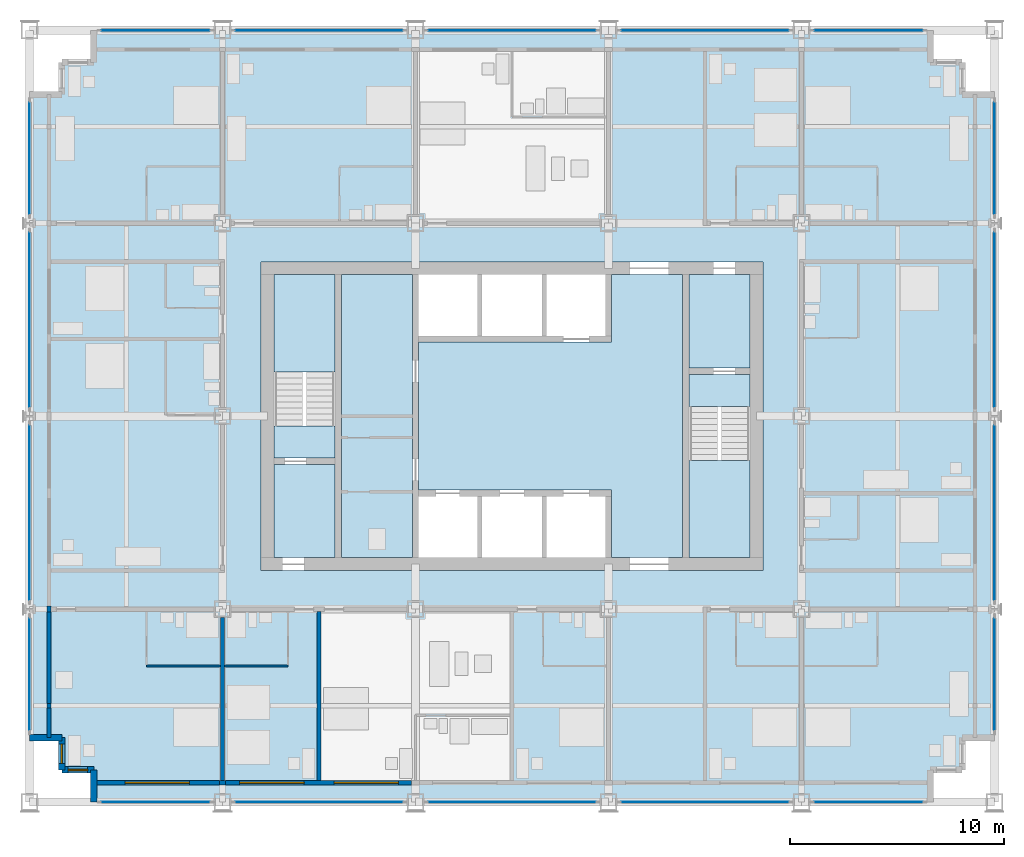
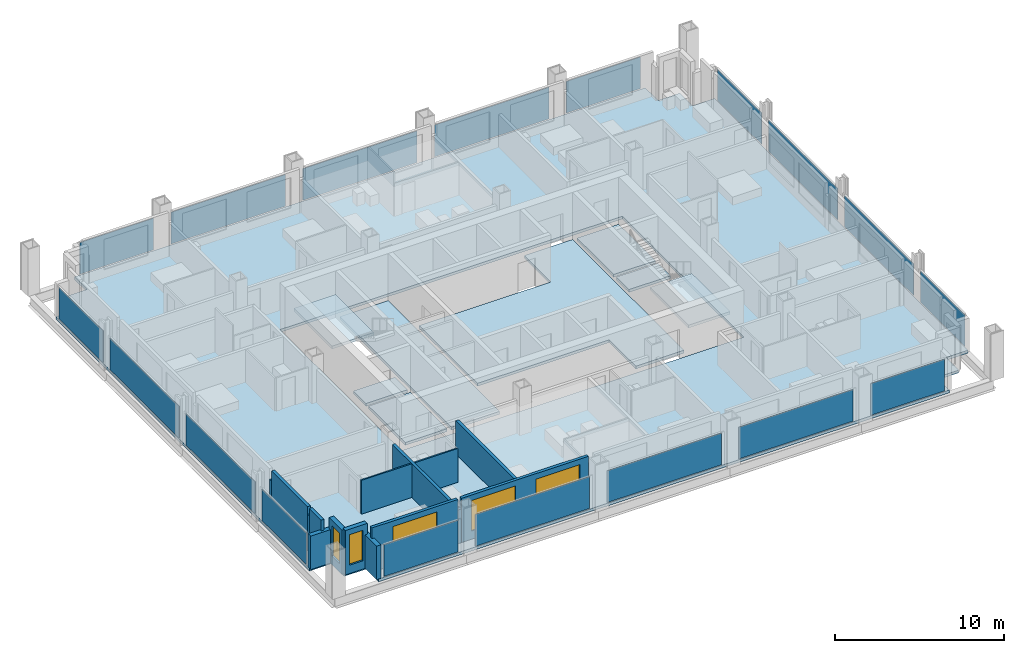
# One storey, part 8 of 16: 18 plates, 15 walls, 9 slabs, 5 windows, 5 openings, 20 elements without a shape of their own.
"""IFC4 building model written with IfcOpenShell, lengths in metres."""

from ifc_helpers import new_model, si_unit, direction, frame, frame_2d, origin, origin_2d, place, context, subcontext, project, spatial, polyline, rectangle, outline, extrude, material, layer, layer_set, type_object, element, fill, aggregate, save


model = new_model("IFC4")

# Units and contexts
model_context = context("Model", 3, precision=1e-05, world=origin(), true_north=direction((0.0, 1.0)))
body_context = subcontext(model_context, "Body", "Model", "MODEL_VIEW")
ifc_project = project(units=[si_unit("LENGTHUNIT", "METRE"), si_unit("AREAUNIT", "SQUARE_METRE"), si_unit("VOLUMEUNIT", "CUBIC_METRE"), si_unit("PLANEANGLEUNIT", "RADIAN"), si_unit("MASSUNIT", "GRAM", prefix="KILO")], contexts=[model_context])

# Site, building, storey
site_placement = place(None, origin())
site = spatial("IfcSite", under=ifc_project, at=site_placement, CompositionType="ELEMENT")
building_placement = place(site_placement, origin())
building = spatial("IfcBuilding", under=site, at=building_placement, Name="Loomwork Tower", CompositionType="ELEMENT")
storey_placement = place(building_placement, frame((0.0, 0.0, 121.39990234375)))
storey = spatial("IfcBuildingStorey", under=building, at=storey_placement, Name="L32", CompositionType="ELEMENT", Elevation=121.39990234375)

# Slabs
ifc_material_1 = material(Name="Concrete 5000 psi (34 MPa) on composite metal deck", Category="concrete")
ifc_layer_1 = layer(ifc_material_1, 0.199951171875)
ifc_layer_set_1 = layer_set([ifc_layer_1], Name="Floor slab 200")
slab_type_1 = type_object("IfcSlabType", Name="Floor slab 200", PredefinedType="FLOOR", material=ifc_layer_set_1)
slab_1_placement = place(storey_placement, frame((0.0, 0.0, -0.199951171875)))
element("IfcSlab", 1, at=slab_1_placement, inside=storey, type_object=slab_type_1, Name="Floor slab L32", PredefinedType="FLOOR", context=body_context, shape_type="SweptSolid", body=[
    extrude(outline(polyline([(3.0, 1.5), (1.5, 1.5), (1.5, 3.0), (0.0, 3.0), (0.0, 33.0), (1.5, 33.0), (1.5, 34.5), (3.0, 34.5), (3.0, 36.0), (42.0, 36.0), (42.0, 34.5), (43.5, 34.5), (43.5, 33.0), (45.0, 33.0), (45.0, 3.0), (43.5, 3.0), (43.5, 1.5), (42.0, 1.5), (42.0, 0.0), (3.0, 0.0), (3.0, 1.5)]), holes=[polyline([(10.800048828125, 11.39990234375), (10.800048828125, 11.39990234375), (10.800048828125, 10.800048828125), (34.199951171875, 10.800048828125), (34.199951171875, 11.39990234375), (34.199951171875, 11.39990234375), (34.199951171875, 24.60009765625), (34.199951171875, 25.199951171875), (10.800048828125, 25.199951171875), (10.800048828125, 24.60009765625), (10.800048828125, 11.39990234375)])]), origin(), (0.0, 0.0, 1.0), 0.199951171875),
])
slab_2_placement = place(storey_placement, frame((0.0, 0.0, -0.199951171875)))
element("IfcSlab", 2, at=slab_2_placement, inside=storey, type_object=slab_type_1, Name="Floor slab L32", PredefinedType="FLOOR", context=body_context, shape_type="SweptSolid", body=[
    extrude(outline(polyline([(30.449951171875, 24.60009765625), (30.449951171875, 11.39990234375), (27.14990234375, 11.39990234375), (27.14990234375, 14.25), (27.14990234375, 14.550048828125), (18.14990234375, 14.550048828125), (18.14990234375, 21.449951171875), (27.14990234375, 21.449951171875), (27.14990234375, 21.75), (27.14990234375, 24.60009765625), (30.449951171875, 24.60009765625)])), origin(), (0.0, 0.0, 1.0), 0.199951171875),
])
slab_3_placement = place(storey_placement, frame((0.0, 0.0, -0.199951171875)))
element("IfcSlab", 3, at=slab_3_placement, inside=storey, type_object=slab_type_1, Name="Floor slab L32", PredefinedType="FLOOR", context=body_context, shape_type="SweptSolid", body=[
    extrude(outline(polyline([(14.550048828125, 11.39990234375), (14.550048828125, 24.60009765625), (17.85009765625, 24.60009765625), (17.85009765625, 11.39990234375), (14.550048828125, 11.39990234375)])), origin(), (0.0, 0.0, 1.0), 0.199951171875),
])
slab_4_placement = place(storey_placement, frame((0.0, 0.0, -0.199951171875)))
element("IfcSlab", 4, at=slab_4_placement, inside=storey, type_object=slab_type_1, Name="Floor slab L32", PredefinedType="FLOOR", context=body_context, shape_type="SweptSolid", body=[
    extrude(outline(polyline([(33.60009765625, 20.25), (30.75, 20.25), (30.75, 24.60009765625), (33.60009765625, 24.60009765625), (33.60009765625, 20.25)])), origin(), (0.0, 0.0, 1.0), 0.199951171875),
])
slab_5_placement = place(storey_placement, frame((0.0, 0.0, -0.199951171875)))
element("IfcSlab", 5, at=slab_5_placement, inside=storey, type_object=slab_type_1, Name="Floor slab L32", PredefinedType="FLOOR", context=body_context, shape_type="SweptSolid", body=[
    extrude(outline(polyline([(14.25, 15.75), (14.25, 11.39990234375), (11.39990234375, 11.39990234375), (11.39990234375, 15.75), (14.25, 15.75)])), origin(), (0.0, 0.0, 1.0), 0.199951171875),
])

# Curtain wall, plate
ifc_material_2 = material(Name="Aluminium curtain wall frame", Category="aluminium")
curtain_wall_type = type_object("IfcCurtainWallType", Name="Outer skin glazing hotel", PredefinedType="NOTDEFINED", material=ifc_material_2)
curtain_wall_1_placement = place(storey_placement, origin())
curtain_wall_1 = element("IfcCurtainWall", 6, at=curtain_wall_1_placement, inside=storey, type_object=curtain_wall_type, Name="Outer skin glazing hotel cw/S-0", PredefinedType="NOTDEFINED")
ifc_material_3 = material(Name="Clear laminated glass", Category="glass")
ifc_layer_2 = layer(ifc_material_3, 0.02392578125)
ifc_layer_set_2 = layer_set([ifc_layer_2], Name="Outer skin glazing hotel panel")
plate_type = type_object("IfcPlateType", Name="Outer skin glazing hotel panel", PredefinedType="CURTAIN_PANEL", material=ifc_layer_set_2)
plate_1_placement = place(storey_placement, frame((5.875, 0.0, 0.06494140625), z_axis=(0.0, 0.0, 1.0), x_axis=(1.0, 0.0, 0.0)))
plate_1 = element("IfcPlate", 7, at=plate_1_placement, type_object=plate_type, Name="CW1 panel 1.1", PredefinedType="CURTAIN_PANEL", context=body_context, shape_type="SweptSolid", body=[
    extrude(rectangle(XDim=5.050048828125, YDim=0.02392578125, at=origin_2d()), origin(), (0.0, 0.0, 1.0), 2.290283203125),
])
aggregate(curtain_wall_1, [plate_1])

curtain_wall_2_placement = place(storey_placement, origin())
curtain_wall_2 = element("IfcCurtainWall", 8, at=curtain_wall_2_placement, inside=storey, type_object=curtain_wall_type, Name="Outer skin glazing hotel cw/S-9", PredefinedType="NOTDEFINED")
plate_2_placement = place(storey_placement, frame((13.5, 0.0, 0.06494140625), z_axis=(0.0, 0.0, 1.0), x_axis=(1.0, 0.0, 0.0)))
plate_2 = element("IfcPlate", 9, at=plate_2_placement, type_object=plate_type, Name="CW1 panel 1.1", PredefinedType="CURTAIN_PANEL", context=body_context, shape_type="SweptSolid", body=[
    extrude(rectangle(XDim=7.800048828125, YDim=0.02392578125, at=origin_2d()), origin(), (0.0, 0.0, 1.0), 2.290283203125),
])
aggregate(curtain_wall_2, [plate_2])

curtain_wall_3_placement = place(storey_placement, origin())
curtain_wall_3 = element("IfcCurtainWall", 10, at=curtain_wall_3_placement, inside=storey, type_object=curtain_wall_type, Name="Outer skin glazing hotel cw/S-18", PredefinedType="NOTDEFINED")
plate_3_placement = place(storey_placement, frame((22.5, 0.0, 0.06494140625), z_axis=(0.0, 0.0, 1.0), x_axis=(1.0, 0.0, 0.0)))
plate_3 = element("IfcPlate", 11, at=plate_3_placement, type_object=plate_type, Name="CW1 panel 1.1", PredefinedType="CURTAIN_PANEL", context=body_context, shape_type="SweptSolid", body=[
    extrude(rectangle(XDim=7.800048828125, YDim=0.02392578125, at=origin_2d()), origin(), (0.0, 0.0, 1.0), 2.290283203125),
])
aggregate(curtain_wall_3, [plate_3])

curtain_wall_4_placement = place(storey_placement, origin())
curtain_wall_4 = element("IfcCurtainWall", 12, at=curtain_wall_4_placement, inside=storey, type_object=curtain_wall_type, Name="Outer skin glazing hotel cw/S-27", PredefinedType="NOTDEFINED")
plate_4_placement = place(storey_placement, frame((31.5, 0.0, 0.06494140625), z_axis=(0.0, 0.0, 1.0), x_axis=(1.0, 0.0, 0.0)))
plate_4 = element("IfcPlate", 13, at=plate_4_placement, type_object=plate_type, Name="CW1 panel 1.1", PredefinedType="CURTAIN_PANEL", context=body_context, shape_type="SweptSolid", body=[
    extrude(rectangle(XDim=7.800048828125, YDim=0.02392578125, at=origin_2d()), origin(), (0.0, 0.0, 1.0), 2.290283203125),
])
aggregate(curtain_wall_4, [plate_4])

curtain_wall_5_placement = place(storey_placement, origin())
curtain_wall_5 = element("IfcCurtainWall", 14, at=curtain_wall_5_placement, inside=storey, type_object=curtain_wall_type, Name="Outer skin glazing hotel cw/S-36", PredefinedType="NOTDEFINED")
plate_5_placement = place(storey_placement, frame((39.125, 0.0, 0.06494140625), z_axis=(0.0, 0.0, 1.0), x_axis=(1.0, 0.0, 0.0)))
plate_5 = element("IfcPlate", 15, at=plate_5_placement, type_object=plate_type, Name="CW1 panel 1.1", PredefinedType="CURTAIN_PANEL", context=body_context, shape_type="SweptSolid", body=[
    extrude(rectangle(XDim=5.050048828125, YDim=0.02392578125, at=origin_2d()), origin(), (0.0, 0.0, 1.0), 2.290283203125),
])
aggregate(curtain_wall_5, [plate_5])

curtain_wall_6_placement = place(storey_placement, origin())
curtain_wall_6 = element("IfcCurtainWall", 16, at=curtain_wall_6_placement, inside=storey, type_object=curtain_wall_type, Name="Outer skin glazing hotel cw/N-0", PredefinedType="NOTDEFINED")
plate_6_placement = place(storey_placement, frame((5.875, 36.0, 0.06494140625), z_axis=(0.0, 0.0, 1.0), x_axis=(-1.0, 0.0, 0.0)))
plate_6 = element("IfcPlate", 17, at=plate_6_placement, type_object=plate_type, Name="CW1 panel 1.1", PredefinedType="CURTAIN_PANEL", context=body_context, shape_type="SweptSolid", body=[
    extrude(rectangle(XDim=5.050048828125, YDim=0.02392578125, at=origin_2d()), origin(), (0.0, 0.0, 1.0), 2.290283203125),
])
aggregate(curtain_wall_6, [plate_6])

curtain_wall_7_placement = place(storey_placement, origin())
curtain_wall_7 = element("IfcCurtainWall", 18, at=curtain_wall_7_placement, inside=storey, type_object=curtain_wall_type, Name="Outer skin glazing hotel cw/N-9", PredefinedType="NOTDEFINED")
plate_7_placement = place(storey_placement, frame((13.5, 36.0, 0.06494140625), z_axis=(0.0, 0.0, 1.0), x_axis=(-1.0, 0.0, 0.0)))
plate_7 = element("IfcPlate", 19, at=plate_7_placement, type_object=plate_type, Name="CW1 panel 1.1", PredefinedType="CURTAIN_PANEL", context=body_context, shape_type="SweptSolid", body=[
    extrude(rectangle(XDim=7.800048828125, YDim=0.02392578125, at=origin_2d()), origin(), (0.0, 0.0, 1.0), 2.290283203125),
])
aggregate(curtain_wall_7, [plate_7])

curtain_wall_8_placement = place(storey_placement, origin())
curtain_wall_8 = element("IfcCurtainWall", 20, at=curtain_wall_8_placement, inside=storey, type_object=curtain_wall_type, Name="Outer skin glazing hotel cw/N-18", PredefinedType="NOTDEFINED")
plate_8_placement = place(storey_placement, frame((22.5, 36.0, 0.06494140625), z_axis=(0.0, 0.0, 1.0), x_axis=(-1.0, 0.0, 0.0)))
plate_8 = element("IfcPlate", 21, at=plate_8_placement, type_object=plate_type, Name="CW1 panel 1.1", PredefinedType="CURTAIN_PANEL", context=body_context, shape_type="SweptSolid", body=[
    extrude(rectangle(XDim=7.800048828125, YDim=0.02392578125, at=origin_2d()), origin(), (0.0, 0.0, 1.0), 2.290283203125),
])
aggregate(curtain_wall_8, [plate_8])

curtain_wall_9_placement = place(storey_placement, origin())
curtain_wall_9 = element("IfcCurtainWall", 22, at=curtain_wall_9_placement, inside=storey, type_object=curtain_wall_type, Name="Outer skin glazing hotel cw/N-27", PredefinedType="NOTDEFINED")
plate_9_placement = place(storey_placement, frame((31.5, 36.0, 0.06494140625), z_axis=(0.0, 0.0, 1.0), x_axis=(-1.0, 0.0, 0.0)))
plate_9 = element("IfcPlate", 23, at=plate_9_placement, type_object=plate_type, Name="CW1 panel 1.1", PredefinedType="CURTAIN_PANEL", context=body_context, shape_type="SweptSolid", body=[
    extrude(rectangle(XDim=7.800048828125, YDim=0.02392578125, at=origin_2d()), origin(), (0.0, 0.0, 1.0), 2.290283203125),
])
aggregate(curtain_wall_9, [plate_9])

curtain_wall_10_placement = place(storey_placement, origin())
curtain_wall_10 = element("IfcCurtainWall", 24, at=curtain_wall_10_placement, inside=storey, type_object=curtain_wall_type, Name="Outer skin glazing hotel cw/N-36", PredefinedType="NOTDEFINED")
plate_10_placement = place(storey_placement, frame((39.125, 36.0, 0.06494140625), z_axis=(0.0, 0.0, 1.0), x_axis=(-1.0, 0.0, 0.0)))
plate_10 = element("IfcPlate", 25, at=plate_10_placement, type_object=plate_type, Name="CW1 panel 1.1", PredefinedType="CURTAIN_PANEL", context=body_context, shape_type="SweptSolid", body=[
    extrude(rectangle(XDim=5.050048828125, YDim=0.02392578125, at=origin_2d()), origin(), (0.0, 0.0, 1.0), 2.290283203125),
])
aggregate(curtain_wall_10, [plate_10])

curtain_wall_11_placement = place(storey_placement, origin())
curtain_wall_11 = element("IfcCurtainWall", 26, at=curtain_wall_11_placement, inside=storey, type_object=curtain_wall_type, Name="Outer skin glazing hotel cw/W-0", PredefinedType="NOTDEFINED")
plate_11_placement = place(storey_placement, frame((0.0, 5.962646484375, 0.06494140625), z_axis=(0.0, 0.0, 1.0), x_axis=(0.0, -1.0, 0.0)))
plate_11 = element("IfcPlate", 27, at=plate_11_placement, type_object=plate_type, Name="CW1 panel 1.1", PredefinedType="CURTAIN_PANEL", context=body_context, shape_type="SweptSolid", body=[
    extrude(rectangle(XDim=5.22509765625, YDim=0.02392578125, at=origin_2d()), origin(), (0.0, 0.0, 1.0), 2.290283203125),
])
aggregate(curtain_wall_11, [plate_11])

curtain_wall_12_placement = place(storey_placement, origin())
curtain_wall_12 = element("IfcCurtainWall", 28, at=curtain_wall_12_placement, inside=storey, type_object=curtain_wall_type, Name="Outer skin glazing hotel cw/W-9", PredefinedType="NOTDEFINED")
plate_12_placement = place(storey_placement, frame((0.0, 13.5, 0.06494140625), z_axis=(0.0, 0.0, 1.0), x_axis=(0.0, -1.0, 0.0)))
plate_12 = element("IfcPlate", 29, at=plate_12_placement, type_object=plate_type, Name="CW1 panel 1.1", PredefinedType="CURTAIN_PANEL", context=body_context, shape_type="SweptSolid", body=[
    extrude(rectangle(XDim=8.150390625, YDim=0.02392578125, at=origin_2d()), origin(), (0.0, 0.0, 1.0), 2.290283203125),
])
aggregate(curtain_wall_12, [plate_12])

curtain_wall_13_placement = place(storey_placement, origin())
curtain_wall_13 = element("IfcCurtainWall", 30, at=curtain_wall_13_placement, inside=storey, type_object=curtain_wall_type, Name="Outer skin glazing hotel cw/W-18", PredefinedType="NOTDEFINED")
plate_13_placement = place(storey_placement, frame((0.0, 22.5, 0.06494140625), z_axis=(0.0, 0.0, 1.0), x_axis=(0.0, -1.0, 0.0)))
plate_13 = element("IfcPlate", 31, at=plate_13_placement, type_object=plate_type, Name="CW1 panel 1.1", PredefinedType="CURTAIN_PANEL", context=body_context, shape_type="SweptSolid", body=[
    extrude(rectangle(XDim=8.150390625, YDim=0.02392578125, at=origin_2d()), origin(), (0.0, 0.0, 1.0), 2.290283203125),
])
aggregate(curtain_wall_13, [plate_13])

curtain_wall_14_placement = place(storey_placement, origin())
curtain_wall_14 = element("IfcCurtainWall", 32, at=curtain_wall_14_placement, inside=storey, type_object=curtain_wall_type, Name="Outer skin glazing hotel cw/W-27", PredefinedType="NOTDEFINED")
plate_14_placement = place(storey_placement, frame((0.0, 30.037353515625, 0.06494140625), z_axis=(0.0, 0.0, 1.0), x_axis=(0.0, -1.0, 0.0)))
plate_14 = element("IfcPlate", 33, at=plate_14_placement, type_object=plate_type, Name="CW1 panel 1.1", PredefinedType="CURTAIN_PANEL", context=body_context, shape_type="SweptSolid", body=[
    extrude(rectangle(XDim=5.22509765625, YDim=0.02392578125, at=origin_2d()), origin(), (0.0, 0.0, 1.0), 2.290283203125),
])
aggregate(curtain_wall_14, [plate_14])

curtain_wall_15_placement = place(storey_placement, origin())
curtain_wall_15 = element("IfcCurtainWall", 34, at=curtain_wall_15_placement, inside=storey, type_object=curtain_wall_type, Name="Outer skin glazing hotel cw/E-0", PredefinedType="NOTDEFINED")
plate_15_placement = place(storey_placement, frame((45.0, 5.962646484375, 0.06494140625), z_axis=(0.0, 0.0, 1.0), x_axis=(0.0, 1.0, 0.0)))
plate_15 = element("IfcPlate", 35, at=plate_15_placement, type_object=plate_type, Name="CW1 panel 1.1", PredefinedType="CURTAIN_PANEL", context=body_context, shape_type="SweptSolid", body=[
    extrude(rectangle(XDim=5.22509765625, YDim=0.02392578125, at=origin_2d()), origin(), (0.0, 0.0, 1.0), 2.290283203125),
])
aggregate(curtain_wall_15, [plate_15])

curtain_wall_16_placement = place(storey_placement, origin())
curtain_wall_16 = element("IfcCurtainWall", 36, at=curtain_wall_16_placement, inside=storey, type_object=curtain_wall_type, Name="Outer skin glazing hotel cw/E-9", PredefinedType="NOTDEFINED")
plate_16_placement = place(storey_placement, frame((45.0, 13.5, 0.06494140625), z_axis=(0.0, 0.0, 1.0), x_axis=(0.0, 1.0, 0.0)))
plate_16 = element("IfcPlate", 37, at=plate_16_placement, type_object=plate_type, Name="CW1 panel 1.1", PredefinedType="CURTAIN_PANEL", context=body_context, shape_type="SweptSolid", body=[
    extrude(rectangle(XDim=8.150390625, YDim=0.02392578125, at=origin_2d()), origin(), (0.0, 0.0, 1.0), 2.290283203125),
])
aggregate(curtain_wall_16, [plate_16])

curtain_wall_17_placement = place(storey_placement, origin())
curtain_wall_17 = element("IfcCurtainWall", 38, at=curtain_wall_17_placement, inside=storey, type_object=curtain_wall_type, Name="Outer skin glazing hotel cw/E-18", PredefinedType="NOTDEFINED")
plate_17_placement = place(storey_placement, frame((45.0, 22.5, 0.06494140625), z_axis=(0.0, 0.0, 1.0), x_axis=(0.0, 1.0, 0.0)))
plate_17 = element("IfcPlate", 39, at=plate_17_placement, type_object=plate_type, Name="CW1 panel 1.1", PredefinedType="CURTAIN_PANEL", context=body_context, shape_type="SweptSolid", body=[
    extrude(rectangle(XDim=8.150390625, YDim=0.02392578125, at=origin_2d()), origin(), (0.0, 0.0, 1.0), 2.290283203125),
])
aggregate(curtain_wall_17, [plate_17])

curtain_wall_18_placement = place(storey_placement, origin())
curtain_wall_18 = element("IfcCurtainWall", 40, at=curtain_wall_18_placement, inside=storey, type_object=curtain_wall_type, Name="Outer skin glazing hotel cw/E-27", PredefinedType="NOTDEFINED")
plate_18_placement = place(storey_placement, frame((45.0, 30.037353515625, 0.06494140625), z_axis=(0.0, 0.0, 1.0), x_axis=(0.0, 1.0, 0.0)))
plate_18 = element("IfcPlate", 41, at=plate_18_placement, type_object=plate_type, Name="CW1 panel 1.1", PredefinedType="CURTAIN_PANEL", context=body_context, shape_type="SweptSolid", body=[
    extrude(rectangle(XDim=5.22509765625, YDim=0.02392578125, at=origin_2d()), origin(), (0.0, 0.0, 1.0), 2.290283203125),
])
aggregate(curtain_wall_18, [plate_18])

# Stair, slabs
ifc_material_4 = material(Name="Concrete 5000 psi (34 MPa) precast stair", Category="concrete")
stair_type_1 = type_object("IfcStairType", Name="Stair ST-A 20 risers 2850 wide", PredefinedType="HALF_TURN_STAIR", material=ifc_material_4)
stair_1_placement = place(storey_placement, origin())
stair_1 = element("IfcStair", 42, at=stair_1_placement, inside=storey, type_object=stair_type_1, Name="Stair A L32", PredefinedType="HALF_TURN_STAIR")
ifc_material_5 = material(Name="Concrete 5000 psi (34 MPa)", Category="concrete")
ifc_layer_3 = layer(ifc_material_5, 0.199951171875)
ifc_layer_set_3 = layer_set([ifc_layer_3], Name="Stair landing 200")
slab_type_2 = type_object("IfcSlabType", Name="Stair landing 200", PredefinedType="LANDING", material=ifc_layer_set_3)
slab_6_placement = place(storey_placement, frame((0.0, 0.0, -0.199951171875)))
slab_6 = element("IfcSlab", 43, at=slab_6_placement, type_object=slab_type_2, Name="ST-A landing 1", PredefinedType="LANDING", context=body_context, shape_type="SweptSolid", body=[
    extrude(outline(polyline([(11.39990234375, 16.050048828125), (14.25, 16.050048828125), (14.25, 17.550048828125), (11.39990234375, 17.550048828125), (11.39990234375, 16.050048828125)])), origin(), (0.0, 0.0, 1.0), 0.199951171875),
])
slab_7_placement = place(storey_placement, frame((0.0, 0.0, 1.5)))
slab_7 = element("IfcSlab", 44, at=slab_7_placement, type_object=slab_type_2, Name="ST-A landing 2", PredefinedType="LANDING", context=body_context, shape_type="SweptSolid", body=[
    extrude(outline(polyline([(11.39990234375, 20.070068359375), (14.25, 20.070068359375), (14.25, 24.60009765625), (11.39990234375, 24.60009765625), (11.39990234375, 20.070068359375)])), origin(), (0.0, 0.0, 1.0), 0.2001953125),
])
aggregate(stair_1, [slab_6, slab_7])

ifc_material_6 = material(Name="Concrete 5000 psi (34 MPa) precast stair", Category="concrete")
stair_type_2 = type_object("IfcStairType", Name="Stair ST-B 20 risers 2850 wide", PredefinedType="HALF_TURN_STAIR", material=ifc_material_6)
stair_2_placement = place(storey_placement, origin())
stair_2 = element("IfcStair", 45, at=stair_2_placement, inside=storey, type_object=stair_type_2, Name="Stair B L32", PredefinedType="HALF_TURN_STAIR")
slab_8_placement = place(storey_placement, frame((0.0, 0.0, -0.199951171875)))
slab_8 = element("IfcSlab", 46, at=slab_8_placement, type_object=slab_type_2, Name="ST-B landing 1", PredefinedType="LANDING", context=body_context, shape_type="SweptSolid", body=[
    extrude(outline(polyline([(30.75, 18.449951171875), (33.60009765625, 18.449951171875), (33.60009765625, 19.949951171875), (30.75, 19.949951171875), (30.75, 18.449951171875)])), origin(), (0.0, 0.0, 1.0), 0.199951171875),
])
slab_9_placement = place(storey_placement, frame((0.0, 0.0, 1.5)))
slab_9 = element("IfcSlab", 47, at=slab_9_placement, type_object=slab_type_2, Name="ST-B landing 2", PredefinedType="LANDING", context=body_context, shape_type="SweptSolid", body=[
    extrude(outline(polyline([(30.75, 11.39990234375), (33.60009765625, 11.39990234375), (33.60009765625, 15.929931640625), (30.75, 15.929931640625), (30.75, 11.39990234375)])), origin(), (0.0, 0.0, 1.0), 0.2001953125),
])
aggregate(stair_2, [slab_8, slab_9])

# Walls
ifc_material_7 = material(Name="Cement board on steel studs", Category="steel")
ifc_layer_4 = layer(ifc_material_7, 0.10009765625)
ifc_layer_set_4 = layer_set([ifc_layer_4], Name="En-suite partition 100")
wall_type_1 = type_object("IfcWallType", Name="En-suite partition 100", PredefinedType="PARTITIONING", material=ifc_layer_set_4)
wall_1_placement = place(storey_placement, frame((5.449951171875, 6.35009765625, 0.0), z_axis=(0.0, 0.0, 1.0), x_axis=(1.0, 0.0, 0.0)))
element("IfcWall", 48, at=wall_1_placement, inside=storey, type_object=wall_type_1, Name="En-suite wall L32 room 1", PredefinedType="PARTITIONING", context=body_context, shape_type="SweptSolid", body=[
    extrude(rectangle(XDim=3.449951171875, YDim=0.10009765625, at=frame_2d((1.72509765625, 0.0))), origin(), (0.0, 0.0, 1.0), 2.43798828125),
])
wall_2_placement = place(storey_placement, frame((9.10009765625, 6.35009765625, 0.0), z_axis=(0.0, 0.0, 1.0), x_axis=(1.0, 0.0, 0.0)))
element("IfcWall", 49, at=wall_2_placement, inside=storey, type_object=wall_type_1, Name="En-suite wall L32 room 2", PredefinedType="PARTITIONING", context=body_context, shape_type="SweptSolid", body=[
    extrude(rectangle(XDim=2.949951171875, YDim=0.10009765625, at=frame_2d((1.47509765625, 0.0))), origin(), (0.0, 0.0, 1.0), 2.43798828125),
])
ifc_material_8 = material(Name="Gypsum board on steel studs, acoustic", Category="steel")
ifc_layer_5 = layer(ifc_material_8, 0.199951171875)
ifc_layer_set_5 = layer_set([ifc_layer_5], Name="Guest room party wall 200")
wall_type_2 = type_object("IfcWallType", Name="Guest room party wall 200", PredefinedType="PARTITIONING", material=ifc_layer_set_5)
wall_3_placement = place(storey_placement, frame((9.0, 8.60009765625, 0.0), z_axis=(0.0, 0.0, 1.0), x_axis=(0.0, -1.0, 0.0)))
element("IfcWall", 50, at=wall_3_placement, inside=storey, type_object=wall_type_2, Name="Guest room party wall S 9", PredefinedType="PARTITIONING", context=body_context, shape_type="SweptSolid", body=[
    extrude(rectangle(XDim=7.60009765625, YDim=0.199951171875, at=frame_2d((3.800048828125, 0.0))), origin(), (0.0, 0.0, 1.0), 2.43798828125),
])
wall_4_placement = place(storey_placement, frame((13.5, 8.89990234375, 0.0), z_axis=(0.0, 0.0, 1.0), x_axis=(0.0, -1.0, 0.0)))
element("IfcWall", 51, at=wall_4_placement, inside=storey, type_object=wall_type_2, Name="Guest room party wall S 13.5", PredefinedType="PARTITIONING", context=body_context, shape_type="SweptSolid", body=[
    extrude(rectangle(XDim=7.89990234375, YDim=0.199951171875, at=frame_2d((3.949951171875, 0.0))), origin(), (0.0, 0.0, 1.0), 2.404052734375),
])

# Wall, opening, window
ifc_material_9 = material(Name="Insulated steel stud wall with gypsum lining", Category="steel")
ifc_layer_6 = layer(ifc_material_9, 0.199951171875)
ifc_layer_set_6 = layer_set([ifc_layer_6], Name="Inner skin wall 200")
wall_type_3 = type_object("IfcWallType", Name="Inner skin wall 200", PredefinedType="SOLIDWALL", material=ifc_layer_set_6)
wall_5_placement = place(storey_placement, frame((3.0, 0.89990234375, 0.0), z_axis=(0.0, 0.0, 1.0), x_axis=(1.0, 0.0, 0.0)))
wall_5 = element("IfcWall", 52, at=wall_5_placement, inside=storey, type_object=wall_type_3, Name="Inner skin wall S", PredefinedType="SOLIDWALL", context=body_context, shape_type="SweptSolid", body=[
    extrude(rectangle(XDim=5.86474609375, YDim=0.199951171875, at=frame_2d((2.932373046875, 0.0))), origin(), (0.0, 0.0, 1.0), 3.2001953125),
])
opening_1_placement = place(wall_5_placement, frame((1.449951171875, 0.0, 0.60009765625)))
opening_1 = element("IfcOpeningElement", 53, at=opening_1_placement, cuts=wall_5, Name="Opening CH1", PredefinedType="OPENING", context=body_context, shape_type="SweptSolid", body=[
    extrude(rectangle(XDim=3.0, YDim=2.199951171875, at=frame_2d((1.5, 1.10009765625))), frame((0.0, 0.10986328125, 0.0), z_axis=(0.0, -1.0, 0.0), x_axis=(1.0, 0.0, 0.0)), (0.0, 0.0, 1.0), 0.219970703125),
])
ifc_material_10 = material(Name="Aluminium frame with clear insulated glass", Category="aluminium")
window_type_1 = type_object("IfcWindowType", Name="Chicago window 3000", PartitioningType="TRIPLE_PANEL_VERTICAL", PredefinedType="WINDOW", material=ifc_material_10)
window_1_placement = place(opening_1_placement, origin())
window_1 = element("IfcWindow", 54, at=window_1_placement, inside=storey, type_object=window_type_1, Name="Chicago window L32 bay 1", OverallHeight=2.199951171875, OverallWidth=3.0, PartitioningType="TRIPLE_PANEL_VERTICAL", PredefinedType="WINDOW", context=body_context, shape_type="SweptSolid", body=[
    extrude(rectangle(XDim=3.0, YDim=2.199951171875, at=frame_2d((1.5, 1.10009765625))), frame((0.0, 0.030029296875, 0.0), z_axis=(0.0, -1.0, 0.0), x_axis=(1.0, 0.0, 0.0)), (0.0, 0.0, 1.0), 0.06005859375),
])
fill(opening_1, window_1)

# Walls
wall_6_placement = place(storey_placement, frame((0.89990234375, 3.0, 0.0), z_axis=(0.0, 0.0, 1.0), x_axis=(0.0, 1.0, 0.0)))
element("IfcWall", 55, at=wall_6_placement, inside=storey, type_object=wall_type_3, Name="Inner skin wall W", PredefinedType="SOLIDWALL", context=body_context, shape_type="SweptSolid", body=[
    extrude(rectangle(XDim=1.392578125, YDim=0.199951171875, at=frame_2d((0.6962890625, 0.0))), origin(), (0.0, 0.0, 1.0), 3.2001953125),
])
wall_7_placement = place(storey_placement, frame((8.86474609375, 0.89990234375, 0.0), z_axis=(0.0, 0.0, 1.0), x_axis=(1.0, 0.0, 0.0)))
element("IfcWall", 56, at=wall_7_placement, inside=storey, type_object=wall_type_3, Name="Inner skin wall S bay 2", PredefinedType="SOLIDWALL", context=body_context, shape_type="SweptSolid", body=[
    extrude(rectangle(XDim=0.2705078125, YDim=0.199951171875, at=frame_2d((0.13525390625, 0.0))), origin(), (0.0, 0.0, 1.0), 2.43798828125),
])

# Wall, openings, windows
wall_8_placement = place(storey_placement, frame((9.13525390625, 0.89990234375, 0.0), z_axis=(0.0, 0.0, 1.0), x_axis=(1.0, 0.0, 0.0)))
wall_8 = element("IfcWall", 57, at=wall_8_placement, inside=storey, type_object=wall_type_3, Name="Inner skin wall S bay 3", PredefinedType="SOLIDWALL", context=body_context, shape_type="SweptSolid", body=[
    extrude(rectangle(XDim=8.6708984375, YDim=0.199951171875, at=frame_2d((4.33544921875, 0.0))), origin(), (0.0, 0.0, 1.0), 3.2001953125),
])
opening_2_placement = place(wall_8_placement, frame((0.664794921875, 0.0, 0.60009765625)))
opening_2 = element("IfcOpeningElement", 58, at=opening_2_placement, cuts=wall_8, Name="Opening CH1", PredefinedType="OPENING", context=body_context, shape_type="SweptSolid", body=[
    extrude(rectangle(XDim=3.0, YDim=2.199951171875, at=frame_2d((1.5, 1.10009765625))), frame((0.0, 0.10986328125, 0.0), z_axis=(0.0, -1.0, 0.0), x_axis=(1.0, 0.0, 0.0)), (0.0, 0.0, 1.0), 0.219970703125),
])
opening_3_placement = place(wall_8_placement, frame((5.064697265625, 0.0, 0.60009765625)))
opening_3 = element("IfcOpeningElement", 59, at=opening_3_placement, cuts=wall_8, Name="Opening CH1", PredefinedType="OPENING", context=body_context, shape_type="SweptSolid", body=[
    extrude(rectangle(XDim=3.0, YDim=2.199951171875, at=frame_2d((1.5, 1.10009765625))), frame((0.0, 0.10986328125, 0.0), z_axis=(0.0, -1.0, 0.0), x_axis=(1.0, 0.0, 0.0)), (0.0, 0.0, 1.0), 0.219970703125),
])
window_2_placement = place(opening_2_placement, origin())
window_2 = element("IfcWindow", 60, at=window_2_placement, inside=storey, type_object=window_type_1, Name="Chicago window L32 bay 2", OverallHeight=2.199951171875, OverallWidth=3.0, PartitioningType="TRIPLE_PANEL_VERTICAL", PredefinedType="WINDOW", context=body_context, shape_type="SweptSolid", body=[
    extrude(rectangle(XDim=3.0, YDim=2.199951171875, at=frame_2d((1.5, 1.10009765625))), frame((0.0, 0.030029296875, 0.0), z_axis=(0.0, -1.0, 0.0), x_axis=(1.0, 0.0, 0.0)), (0.0, 0.0, 1.0), 0.06005859375),
])
fill(opening_2, window_2)
window_3_placement = place(opening_3_placement, origin())
window_3 = element("IfcWindow", 61, at=window_3_placement, inside=storey, type_object=window_type_1, Name="Chicago window L32 bay 2", OverallHeight=2.199951171875, OverallWidth=3.0, PartitioningType="TRIPLE_PANEL_VERTICAL", PredefinedType="WINDOW", context=body_context, shape_type="SweptSolid", body=[
    extrude(rectangle(XDim=3.0, YDim=2.199951171875, at=frame_2d((1.5, 1.10009765625))), frame((0.0, 0.030029296875, 0.0), z_axis=(0.0, -1.0, 0.0), x_axis=(1.0, 0.0, 0.0)), (0.0, 0.0, 1.0), 0.06005859375),
])
fill(opening_3, window_3)

# Walls
wall_9_placement = place(storey_placement, frame((0.89990234375, 4.392578125, 0.0), z_axis=(0.0, 0.0, 1.0), x_axis=(0.0, 1.0, 0.0)))
element("IfcWall", 62, at=wall_9_placement, inside=storey, type_object=wall_type_3, Name="Inner skin wall W bay 2", PredefinedType="SOLIDWALL", context=body_context, shape_type="SweptSolid", body=[
    extrude(rectangle(XDim=0.21484375, YDim=0.199951171875, at=frame_2d((0.107421875, 0.0))), origin(), (0.0, 0.0, 1.0), 2.6611328125),
])
wall_10_placement = place(storey_placement, frame((0.89990234375, 4.607421875, 0.0), z_axis=(0.0, 0.0, 1.0), x_axis=(0.0, 1.0, 0.0)))
element("IfcWall", 63, at=wall_10_placement, inside=storey, type_object=wall_type_3, Name="Inner skin wall W bay 3", PredefinedType="SOLIDWALL", context=body_context, shape_type="SweptSolid", body=[
    extrude(rectangle(XDim=4.25732421875, YDim=0.199951171875, at=frame_2d((2.128662109375, 0.0))), origin(), (0.0, 0.0, 1.0), 3.2001953125),
])
wall_11_placement = place(storey_placement, frame((0.89990234375, 8.86474609375, 0.0), z_axis=(0.0, 0.0, 1.0), x_axis=(0.0, 1.0, 0.0)))
element("IfcWall", 64, at=wall_11_placement, inside=storey, type_object=wall_type_3, Name="Inner skin wall W bay 4", PredefinedType="SOLIDWALL", context=body_context, shape_type="SweptSolid", body=[
    extrude(rectangle(XDim=0.2705078125, YDim=0.199951171875, at=frame_2d((0.13525390625, 0.0))), origin(), (0.0, 0.0, 1.0), 2.43798828125),
])
ifc_material_11 = material(Name="Limestone on concrete masonry", Category="masonry")
ifc_layer_7 = layer(ifc_material_11, 0.300048828125)
ifc_layer_set_7 = layer_set([ifc_layer_7], Name="Limestone corner wall 300")
wall_type_4 = type_object("IfcWallType", Name="Limestone corner wall 300", PredefinedType="SOLIDWALL", material=ifc_layer_set_7)
wall_12_placement = place(storey_placement, frame((0.0, 3.0, 0.0), z_axis=(0.0, 0.0, 1.0), x_axis=(1.0, 0.0, 0.0)))
element("IfcWall", 65, at=wall_12_placement, inside=storey, type_object=wall_type_4, Name="Stone corner wall SW 1", PredefinedType="SOLIDWALL", context=body_context, shape_type="SweptSolid", body=[
    extrude(rectangle(XDim=1.5, YDim=0.300048828125, at=frame_2d((0.75, 0.0))), origin(), (0.0, 0.0, 1.0), 2.420166015625),
])

# Wall, opening, window
wall_13_placement = place(storey_placement, frame((1.5, 3.0, 0.0), z_axis=(0.0, 0.0, 1.0), x_axis=(0.0, -1.0, 0.0)))
wall_13 = element("IfcWall", 66, at=wall_13_placement, inside=storey, type_object=wall_type_4, Name="Stone corner wall SW 2", PredefinedType="SOLIDWALL", context=body_context, shape_type="SweptSolid", body=[
    extrude(rectangle(XDim=1.5, YDim=0.300048828125, at=frame_2d((0.75, 0.0))), origin(), (0.0, 0.0, 1.0), 3.2001953125),
])
opening_4_placement = place(wall_13_placement, frame((0.300048828125, 0.0, 0.60009765625)))
opening_4 = element("IfcOpeningElement", 67, at=opening_4_placement, cuts=wall_13, Name="Opening CH2", PredefinedType="OPENING", context=body_context, shape_type="SweptSolid", body=[
    extrude(rectangle(XDim=0.89990234375, YDim=2.199951171875, at=frame_2d((0.449951171875, 1.10009765625))), frame((0.0, 0.159912109375, 0.0), z_axis=(0.0, -1.0, 0.0), x_axis=(1.0, 0.0, 0.0)), (0.0, 0.0, 1.0), 0.320068359375),
])
ifc_material_12 = material(Name="Aluminium frame with clear insulated glass", Category="aluminium")
window_type_2 = type_object("IfcWindowType", Name="Corner window 900", PartitioningType="SINGLE_PANEL", PredefinedType="WINDOW", material=ifc_material_12)
window_4_placement = place(opening_4_placement, origin())
window_4 = element("IfcWindow", 68, at=window_4_placement, inside=storey, type_object=window_type_2, Name="Corner window SW", OverallHeight=2.199951171875, OverallWidth=0.89990234375, PartitioningType="SINGLE_PANEL", PredefinedType="WINDOW", context=body_context, shape_type="SweptSolid", body=[
    extrude(rectangle(XDim=0.89990234375, YDim=2.199951171875, at=frame_2d((0.449951171875, 1.10009765625))), frame((0.0, 0.030029296875, 0.0), z_axis=(0.0, -1.0, 0.0), x_axis=(1.0, 0.0, 0.0)), (0.0, 0.0, 1.0), 0.06005859375),
])
fill(opening_4, window_4)

wall_14_placement = place(storey_placement, frame((1.5, 1.5, 0.0), z_axis=(0.0, 0.0, 1.0), x_axis=(1.0, 0.0, 0.0)))
wall_14 = element("IfcWall", 69, at=wall_14_placement, inside=storey, type_object=wall_type_4, Name="Stone corner wall SW 3", PredefinedType="SOLIDWALL", context=body_context, shape_type="SweptSolid", body=[
    extrude(rectangle(XDim=1.5, YDim=0.300048828125, at=frame_2d((0.75, 0.0))), origin(), (0.0, 0.0, 1.0), 3.2001953125),
])
opening_5_placement = place(wall_14_placement, frame((0.300048828125, 0.0, 0.60009765625)))
opening_5 = element("IfcOpeningElement", 70, at=opening_5_placement, cuts=wall_14, Name="Opening CH2", PredefinedType="OPENING", context=body_context, shape_type="SweptSolid", body=[
    extrude(rectangle(XDim=0.89990234375, YDim=2.199951171875, at=frame_2d((0.449951171875, 1.10009765625))), frame((0.0, 0.159912109375, 0.0), z_axis=(0.0, -1.0, 0.0), x_axis=(1.0, 0.0, 0.0)), (0.0, 0.0, 1.0), 0.320068359375),
])
window_5_placement = place(opening_5_placement, origin())
window_5 = element("IfcWindow", 71, at=window_5_placement, inside=storey, type_object=window_type_2, Name="Corner window SW", OverallHeight=2.199951171875, OverallWidth=0.89990234375, PartitioningType="SINGLE_PANEL", PredefinedType="WINDOW", context=body_context, shape_type="SweptSolid", body=[
    extrude(rectangle(XDim=0.89990234375, YDim=2.199951171875, at=frame_2d((0.449951171875, 1.10009765625))), frame((0.0, 0.030029296875, 0.0), z_axis=(0.0, -1.0, 0.0), x_axis=(1.0, 0.0, 0.0)), (0.0, 0.0, 1.0), 0.06005859375),
])
fill(opening_5, window_5)

# Wall
wall_15_placement = place(storey_placement, frame((3.0, 1.5, 0.0), z_axis=(0.0, 0.0, 1.0), x_axis=(0.0, -1.0, 0.0)))
element("IfcWall", 72, at=wall_15_placement, inside=storey, type_object=wall_type_4, Name="Stone corner wall SW 4", PredefinedType="SOLIDWALL", context=body_context, shape_type="SweptSolid", body=[
    extrude(rectangle(XDim=1.5, YDim=0.300048828125, at=frame_2d((0.75, 0.0))), origin(), (0.0, 0.0, 1.0), 2.420166015625),
])

save(model, "model.ifc")
